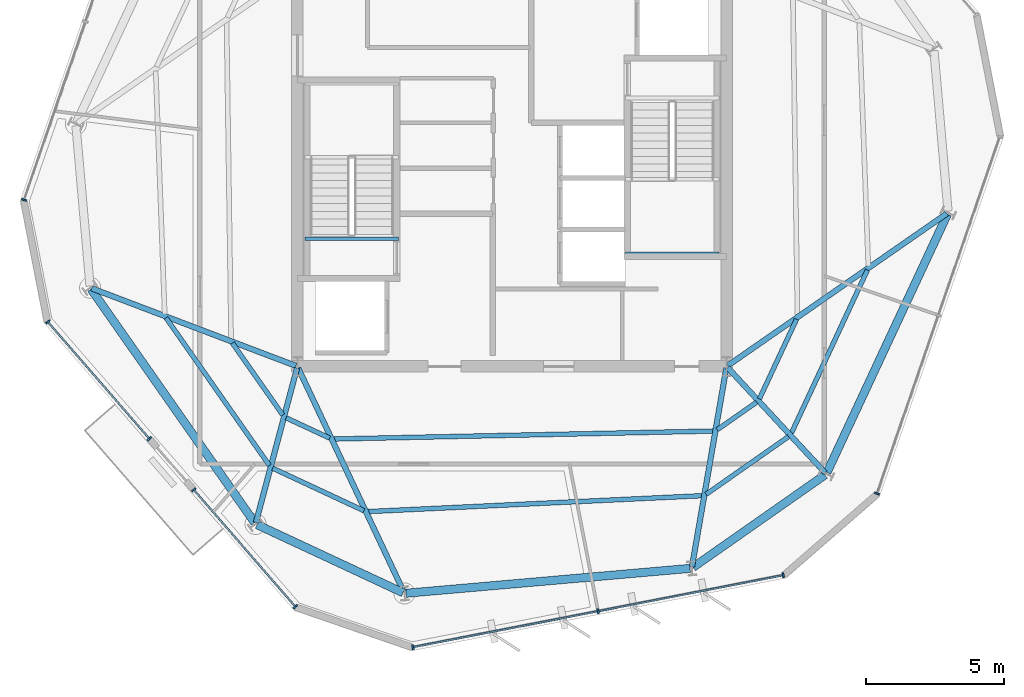
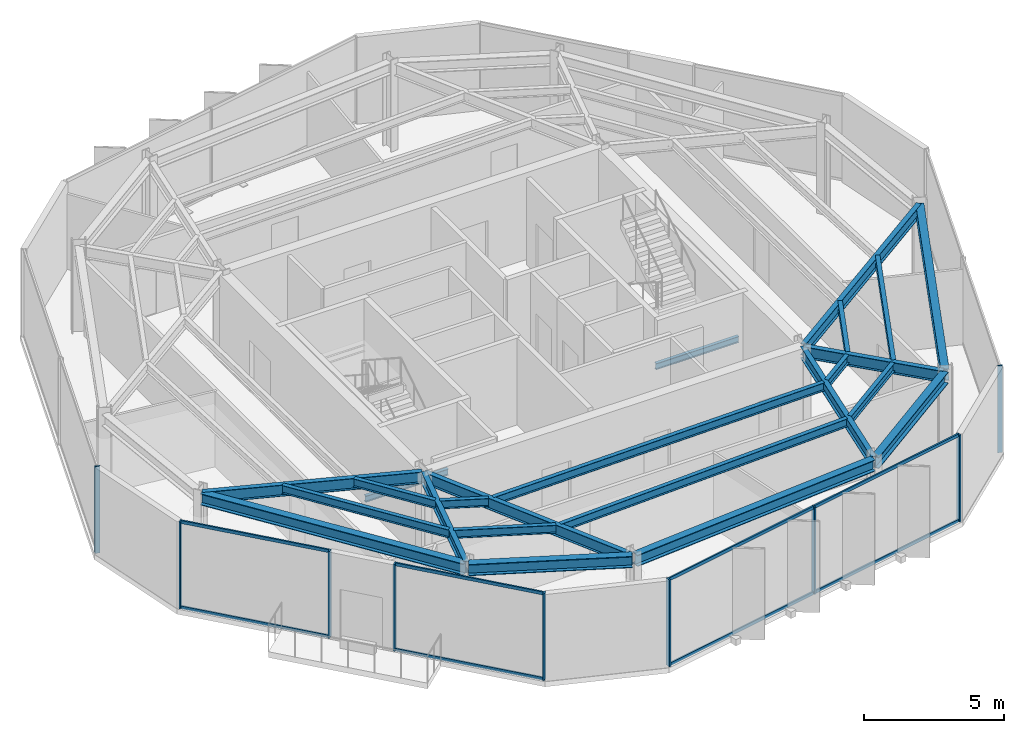
# One storey, part 2 of 10: 23 beams, 17 members, 5 elements without a shape of their own.
"""IFC4 building model written with IfcOpenShell, lengths in metres."""

from ifc_helpers import new_model, si_unit, direction, frame, origin, origin_2d, place, context, subcontext, project, spatial, rectangle, i_section, extrude, material, layer, layer_set, material_profile, profile_set, type_object, element, aggregate, save


model = new_model("IFC4")

# Units and contexts
model_context = context("Model", 3, precision=1e-05, world=origin(), true_north=direction((0.0, 1.0)))
body_context = subcontext(model_context, "Body", "Model", "MODEL_VIEW")
ifc_project = project(units=[si_unit("LENGTHUNIT", "METRE"), si_unit("AREAUNIT", "SQUARE_METRE"), si_unit("VOLUMEUNIT", "CUBIC_METRE"), si_unit("PLANEANGLEUNIT", "RADIAN"), si_unit("MASSUNIT", "GRAM", prefix="KILO")], contexts=[model_context])

# Site, building, storey
site_placement = place(None, origin())
site = spatial("IfcSite", under=ifc_project, at=site_placement, CompositionType="ELEMENT")
building_placement = place(site_placement, origin())
building = spatial("IfcBuilding", under=site, at=building_placement, Name="Kranzbogen Civic Tower", CompositionType="ELEMENT")
storey_placement = place(building_placement, frame((0.0, 0.0, 310.199951171875)))
storey = spatial("IfcBuildingStorey", under=building, at=storey_placement, Name="L75", CompositionType="ELEMENT", Elevation=310.199951171875)

# Curtain wall, member
ifc_material_1 = material(Name="Pale Anodised Aluminium", Category="aluminium")
ifc_layer = layer(ifc_material_1, 0.219970703125, Name="Pale Anodised Aluminium")
ifc_layer_set = layer_set([ifc_layer], Name="Pale Anodised Aluminium")
curtain_wall_type = type_object("IfcCurtainWallType", Name="Zone 4 Stick Curtain Wall System CW-05", PredefinedType="USERDEFINED", material=ifc_layer_set)
curtain_wall_1_placement = place(storey_placement, origin())
curtain_wall_1 = element("IfcCurtainWall", 1, at=curtain_wall_1_placement, inside=storey, type_object=curtain_wall_type, Name="L75 curtain wall CW-L75-F2", ObjectType="STICK CURTAIN WALL", PredefinedType="USERDEFINED")
ifc_material_profile_1 = material_profile(ifc_material_1, rectangle(XDim=0.06494140625, YDim=0.179931640625, at=origin_2d()), Name="ALU-M 65x180")
ifc_profile_set_1 = profile_set([ifc_material_profile_1], Name="Pale Anodised Aluminium")
member_type_1 = type_object("IfcMemberType", Name="Curtain Wall Mullion ALU-M 65x180", PredefinedType="MULLION", material=ifc_profile_set_1)
member_1_placement = place(storey_placement, frame((7.2646484375, 23.853271484375, 0.0), z_axis=(0.0, 0.0, 1.0), x_axis=(-0.325554430043, -0.945523301183, 0.0)))
member_1 = element("IfcMember", 2, at=member_1_placement, type_object=member_type_1, Name="CW-05 mullion 3", PredefinedType="MULLION", context=body_context, shape_type="SweptSolid", body=[
    extrude(rectangle(XDim=0.06494140625, YDim=0.179931640625, at=origin_2d()), origin(), (0.0, 0.0, 1.0), 3.780029296875),
])
aggregate(curtain_wall_1, [member_1])

# Curtain wall, members
curtain_wall_2_placement = place(storey_placement, origin())
curtain_wall_2 = element("IfcCurtainWall", 3, at=curtain_wall_2_placement, inside=storey, type_object=curtain_wall_type, Name="L75 curtain wall CW-L75-F3-S1", ObjectType="STICK CURTAIN WALL", PredefinedType="USERDEFINED")
member_2_placement = place(storey_placement, frame((8.126708984375, 19.41943359375, 0.0), z_axis=(0.0, 0.0, 1.0), x_axis=(0.656074252313, -0.754696346521, 0.0)))
member_2 = element("IfcMember", 4, at=member_2_placement, type_object=member_type_1, Name="CW-05 mullion 1", PredefinedType="MULLION", context=body_context, shape_type="SweptSolid", body=[
    extrude(rectangle(XDim=0.06494140625, YDim=0.179931640625, at=origin_2d()), origin(), (0.0, 0.0, 1.0), 3.780029296875),
])
member_3_placement = place(storey_placement, frame((11.8193359375, 15.171630859375, 0.0), z_axis=(0.0, 0.0, 1.0), x_axis=(0.656074252313, -0.754696346521, 0.0)))
member_3 = element("IfcMember", 5, at=member_3_placement, type_object=member_type_1, Name="CW-05 mullion 2", PredefinedType="MULLION", context=body_context, shape_type="SweptSolid", body=[
    extrude(rectangle(XDim=0.06494140625, YDim=0.179931640625, at=origin_2d()), origin(), (0.0, 0.0, 1.0), 3.780029296875),
])

curtain_wall_3_placement = place(storey_placement, origin())
curtain_wall_3 = element("IfcCurtainWall", 6, at=curtain_wall_3_placement, inside=storey, type_object=curtain_wall_type, Name="L75 curtain wall CW-L75-F3-S2", ObjectType="STICK CURTAIN WALL", PredefinedType="USERDEFINED")
member_4_placement = place(storey_placement, frame((13.4326171875, 13.3154296875, 0.0), z_axis=(0.0, 0.0, 1.0), x_axis=(0.656074252313, -0.754696346521, 0.0)))
member_4 = element("IfcMember", 7, at=member_4_placement, type_object=member_type_1, Name="CW-05 mullion 1", PredefinedType="MULLION", context=body_context, shape_type="SweptSolid", body=[
    extrude(rectangle(XDim=0.06494140625, YDim=0.179931640625, at=origin_2d()), origin(), (0.0, 0.0, 1.0), 3.780029296875),
])
member_5_placement = place(storey_placement, frame((17.125244140625, 9.067626953125, 0.0), z_axis=(0.0, 0.0, 1.0), x_axis=(0.656074252313, -0.754696346521, 0.0)))
member_5 = element("IfcMember", 8, at=member_5_placement, type_object=member_type_1, Name="CW-05 mullion 2", PredefinedType="MULLION", context=body_context, shape_type="SweptSolid", body=[
    extrude(rectangle(XDim=0.06494140625, YDim=0.179931640625, at=origin_2d()), origin(), (0.0, 0.0, 1.0), 3.780029296875),
])

curtain_wall_4_placement = place(storey_placement, origin())
curtain_wall_4 = element("IfcCurtainWall", 9, at=curtain_wall_4_placement, inside=storey, type_object=curtain_wall_type, Name="L75 curtain wall CW-L75-F4", ObjectType="STICK CURTAIN WALL", PredefinedType="USERDEFINED")
member_6_placement = place(storey_placement, frame((21.396484375, 7.5966796875, 0.0), z_axis=(0.0, 0.0, 1.0), x_axis=(0.981635407252, 0.190766682701, 0.0)))
member_6 = element("IfcMember", 10, at=member_6_placement, type_object=member_type_1, Name="CW-05 mullion 1", PredefinedType="MULLION", context=body_context, shape_type="SweptSolid", body=[
    extrude(rectangle(XDim=0.06494140625, YDim=0.179931640625, at=origin_2d()), origin(), (0.0, 0.0, 1.0), 3.780029296875),
])
member_7_placement = place(storey_placement, frame((28.12841796875, 8.905029296875, 0.0), z_axis=(0.0, 0.0, 1.0), x_axis=(0.981635407252, 0.190766682701, 0.0)))
member_7 = element("IfcMember", 11, at=member_7_placement, type_object=member_type_1, Name="CW-05 mullion 2", PredefinedType="MULLION", context=body_context, shape_type="SweptSolid", body=[
    extrude(rectangle(XDim=0.06494140625, YDim=0.179931640625, at=origin_2d()), origin(), (0.0, 0.0, 1.0), 3.780029296875),
])
member_8_placement = place(storey_placement, frame((34.860595703125, 10.21337890625, 0.0), z_axis=(0.0, 0.0, 1.0), x_axis=(0.981635407252, 0.190766682701, 0.0)))
member_8 = element("IfcMember", 12, at=member_8_placement, type_object=member_type_1, Name="CW-05 mullion 3", PredefinedType="MULLION", context=body_context, shape_type="SweptSolid", body=[
    extrude(rectangle(XDim=0.06494140625, YDim=0.179931640625, at=origin_2d()), origin(), (0.0, 0.0, 1.0), 3.780029296875),
])

# Curtain wall, member
curtain_wall_5_placement = place(storey_placement, origin())
curtain_wall_5 = element("IfcCurtainWall", 13, at=curtain_wall_5_placement, inside=storey, type_object=curtain_wall_type, Name="L75 curtain wall CW-L75-F5", ObjectType="STICK CURTAIN WALL", PredefinedType="USERDEFINED")
member_9_placement = place(storey_placement, frame((38.269775390625, 13.17724609375, 0.0), z_axis=(0.0, 0.0, 1.0), x_axis=(0.325554430043, 0.945523301183, 0.0)))
member_9 = element("IfcMember", 14, at=member_9_placement, type_object=member_type_1, Name="CW-05 mullion 1", PredefinedType="MULLION", context=body_context, shape_type="SweptSolid", body=[
    extrude(rectangle(XDim=0.06494140625, YDim=0.179931640625, at=origin_2d()), origin(), (0.0, 0.0, 1.0), 3.780029296875),
])
aggregate(curtain_wall_5, [member_9])

# Member
ifc_material_profile_2 = material_profile(ifc_material_1, rectangle(XDim=0.06494140625, YDim=0.135009765625, at=origin_2d()), Name="ALU-T 65x135")
ifc_profile_set_2 = profile_set([ifc_material_profile_2], Name="Pale Anodised Aluminium")
member_type_2 = type_object("IfcMemberType", Name="Curtain Wall Transom ALU-T 65x135", PredefinedType="USERDEFINED", material=ifc_profile_set_2)
member_10_placement = place(storey_placement, frame((8.146484375, 19.396728515625, 0.030029296875), z_axis=(0.656058214396, -0.754710288338, 0.0), x_axis=(0.754710288338, 0.656058214396, 0.0)))
member_10 = element("IfcMember", 15, at=member_10_placement, type_object=member_type_2, Name="CW-05 transom 1.1", ObjectType="TRANSOM", PredefinedType="USERDEFINED", context=body_context, shape_type="SweptSolid", body=[
    extrude(rectangle(XDim=0.06494140625, YDim=0.135009765625, at=origin_2d()), origin(), (0.0, 0.0, 1.0), 5.568115234375),
])

member_11_placement = place(storey_placement, frame((8.146484375, 19.396728515625, 3.75), z_axis=(0.656058214396, -0.754710288338, 0.0), x_axis=(0.754710288338, 0.656058214396, 0.0)))
member_11 = element("IfcMember", 16, at=member_11_placement, type_object=member_type_2, Name="CW-05 transom 1.2", ObjectType="TRANSOM", PredefinedType="USERDEFINED", context=body_context, shape_type="SweptSolid", body=[
    extrude(rectangle(XDim=0.06494140625, YDim=0.135009765625, at=origin_2d()), origin(), (0.0, 0.0, 1.0), 5.568115234375),
])

aggregate(curtain_wall_2, [member_2, member_3, member_10, member_11])

member_12_placement = place(storey_placement, frame((13.452392578125, 13.292724609375, 0.030029296875), z_axis=(0.656083187096, -0.754688579223, 0.0), x_axis=(0.754688579223, 0.656083187096, 0.0)))
member_12 = element("IfcMember", 17, at=member_12_placement, type_object=member_type_2, Name="CW-05 transom 1.1", ObjectType="TRANSOM", PredefinedType="USERDEFINED", context=body_context, shape_type="SweptSolid", body=[
    extrude(rectangle(XDim=0.06494140625, YDim=0.135009765625, at=origin_2d()), origin(), (0.0, 0.0, 1.0), 5.568359375),
])

member_13_placement = place(storey_placement, frame((13.452392578125, 13.292724609375, 3.75), z_axis=(0.656083187096, -0.754688579223, 0.0), x_axis=(0.754688579223, 0.656083187096, 0.0)))
member_13 = element("IfcMember", 18, at=member_13_placement, type_object=member_type_2, Name="CW-05 transom 1.2", ObjectType="TRANSOM", PredefinedType="USERDEFINED", context=body_context, shape_type="SweptSolid", body=[
    extrude(rectangle(XDim=0.06494140625, YDim=0.135009765625, at=origin_2d()), origin(), (0.0, 0.0, 1.0), 5.568359375),
])

aggregate(curtain_wall_3, [member_4, member_5, member_12, member_13])

member_14_placement = place(storey_placement, frame((21.42578125, 7.6025390625, 0.030029296875), z_axis=(0.981641920978, 0.190733161715, 0.0), x_axis=(-0.190733161715, 0.981641920978, 0.0)))
member_14 = element("IfcMember", 19, at=member_14_placement, type_object=member_type_2, Name="CW-05 transom 1.1", ObjectType="TRANSOM", PredefinedType="USERDEFINED", context=body_context, shape_type="SweptSolid", body=[
    extrude(rectangle(XDim=0.06494140625, YDim=0.135009765625, at=origin_2d()), origin(), (0.0, 0.0, 1.0), 6.798095703125),
])

member_15_placement = place(storey_placement, frame((21.42578125, 7.6025390625, 3.75), z_axis=(0.981641920978, 0.190733161715, 0.0), x_axis=(-0.190733161715, 0.981641920978, 0.0)))
member_15 = element("IfcMember", 20, at=member_15_placement, type_object=member_type_2, Name="CW-05 transom 1.2", ObjectType="TRANSOM", PredefinedType="USERDEFINED", context=body_context, shape_type="SweptSolid", body=[
    extrude(rectangle(XDim=0.06494140625, YDim=0.135009765625, at=origin_2d()), origin(), (0.0, 0.0, 1.0), 6.798095703125),
])

member_16_placement = place(storey_placement, frame((28.157958984375, 8.91064453125, 0.030029296875), z_axis=(0.981633889378, 0.190774493117, 0.0), x_axis=(-0.190774493117, 0.981633889378, 0.0)))
member_16 = element("IfcMember", 21, at=member_16_placement, type_object=member_type_2, Name="CW-05 transom 2.1", ObjectType="TRANSOM", PredefinedType="USERDEFINED", context=body_context, shape_type="SweptSolid", body=[
    extrude(rectangle(XDim=0.06494140625, YDim=0.135009765625, at=origin_2d()), origin(), (0.0, 0.0, 1.0), 6.7978515625),
])

member_17_placement = place(storey_placement, frame((28.157958984375, 8.91064453125, 3.75), z_axis=(0.981633889378, 0.190774493117, 0.0), x_axis=(-0.190774493117, 0.981633889378, 0.0)))
member_17 = element("IfcMember", 22, at=member_17_placement, type_object=member_type_2, Name="CW-05 transom 2.2", ObjectType="TRANSOM", PredefinedType="USERDEFINED", context=body_context, shape_type="SweptSolid", body=[
    extrude(rectangle(XDim=0.06494140625, YDim=0.135009765625, at=origin_2d()), origin(), (0.0, 0.0, 1.0), 6.7978515625),
])

aggregate(curtain_wall_4, [member_6, member_7, member_8, member_14, member_15, member_16, member_17])

# Beams
ifc_material_2 = material(Name="Steel S355", Category="steel")
ifc_material_profile_3 = material_profile(ifc_material_2, i_section(OverallWidth=0.300048828125, OverallDepth=0.5, WebThickness=0.014404296875, FlangeThickness=0.028076171875, at=origin_2d()), Name="HEB 500")
ifc_profile_set_3 = profile_set([ifc_material_profile_3], Name="Steel S355")
beam_type_1 = type_object("IfcBeamType", Name="Perimeter Tube Spandrel Beam HEB 500", PredefinedType="SPANDREL", material=ifc_profile_set_3)
beam_1_placement = place(storey_placement, frame((9.699951171875, 20.612060546875, 3.530029296875), z_axis=(0.573577759301, -0.819151117948, 0.0), x_axis=(0.819151117948, 0.573577759301, 0.0)))
element("IfcBeam", 23, at=beam_1_placement, inside=storey, type_object=beam_type_1, Name="L75 perimeter spandrel beam 01", PredefinedType="SPANDREL", context=body_context, shape_type="SweptSolid", body=[
    extrude(i_section(OverallWidth=0.300048828125, OverallDepth=0.5, WebThickness=0.014404296875, FlangeThickness=0.028076171875, at=origin_2d()), origin(), (0.0, 0.0, 1.0), 10.36328125),
])
beam_2_placement = place(storey_placement, frame((15.73193359375, 12.049072265625, 3.530029296875), z_axis=(0.906289661556, -0.422657129784, 0.0), x_axis=(0.422657129784, 0.906289661556, 0.0)))
element("IfcBeam", 24, at=beam_2_placement, inside=storey, type_object=beam_type_1, Name="L75 perimeter spandrel beam 02", PredefinedType="SPANDREL", context=body_context, shape_type="SweptSolid", body=[
    extrude(i_section(OverallWidth=0.300048828125, OverallDepth=0.5, WebThickness=0.014404296875, FlangeThickness=0.028076171875, at=origin_2d()), origin(), (0.0, 0.0, 1.0), 5.853759765625),
])
beam_3_placement = place(storey_placement, frame((21.15087890625, 9.554931640625, 3.530029296875), z_axis=(0.996186373839, 0.087250837114, 0.0), x_axis=(-0.087250837114, 0.996186373839, 0.0)))
element("IfcBeam", 25, at=beam_3_placement, inside=storey, type_object=beam_type_1, Name="L75 perimeter spandrel beam 03", PredefinedType="SPANDREL", context=body_context, shape_type="SweptSolid", body=[
    extrude(i_section(OverallWidth=0.300048828125, OverallDepth=0.5, WebThickness=0.014404296875, FlangeThickness=0.028076171875, at=origin_2d()), origin(), (0.0, 0.0, 1.0), 10.361572265625),
])
beam_4_placement = place(storey_placement, frame((31.58203125, 10.498046875, 3.530029296875), z_axis=(0.819059436004, 0.57370867197, 0.0), x_axis=(-0.57370867197, 0.819059436004, 0.0)))
element("IfcBeam", 26, at=beam_4_placement, inside=storey, type_object=beam_type_1, Name="L75 perimeter spandrel beam 04", PredefinedType="SPANDREL", context=body_context, shape_type="SweptSolid", body=[
    extrude(i_section(OverallWidth=0.300048828125, OverallDepth=0.5, WebThickness=0.014404296875, FlangeThickness=0.028076171875, at=origin_2d()), origin(), (0.0, 0.0, 1.0), 5.85302734375),
])
beam_5_placement = place(storey_placement, frame((36.449951171875, 13.944091796875, 3.530029296875), z_axis=(0.422668780888, 0.906284227857, 0.0), x_axis=(-0.906284227857, 0.422668780888, 0.0)))
element("IfcBeam", 27, at=beam_5_placement, inside=storey, type_object=beam_type_1, Name="L75 perimeter spandrel beam 05", PredefinedType="SPANDREL", context=body_context, shape_type="SweptSolid", body=[
    extrude(i_section(OverallWidth=0.300048828125, OverallDepth=0.5, WebThickness=0.014404296875, FlangeThickness=0.028076171875, at=origin_2d()), origin(), (0.0, 0.0, 1.0), 10.363037109375),
])
ifc_material_profile_4 = material_profile(ifc_material_2, i_section(OverallWidth=0.199951171875, OverallDepth=0.5, WebThickness=0.01025390625, FlangeThickness=0.01611328125, at=origin_2d()), Name="IPE 500")
ifc_profile_set_4 = profile_set([ifc_material_profile_4], Name="Steel S355")
beam_type_2 = type_object("IfcBeamType", Name="Radial Tower Floor Girder IPE 500", PredefinedType="BEAM", material=ifc_profile_set_4)
beam_6_placement = place(storey_placement, frame((9.721923828125, 20.639892578125, 3.530029296875), z_axis=(0.934848709689, -0.355046320913, 0.0), x_axis=(0.355046320913, 0.934848709689, 0.0)))
element("IfcBeam", 28, at=beam_6_placement, inside=storey, type_object=beam_type_2, Name="L75 radial floor girder 01", PredefinedType="BEAM", context=body_context, shape_type="SweptSolid", body=[
    extrude(i_section(OverallWidth=0.199951171875, OverallDepth=0.5, WebThickness=0.01025390625, FlangeThickness=0.01611328125, at=origin_2d()), origin(), (0.0, 0.0, 1.0), 7.939453125),
])
beam_7_placement = place(storey_placement, frame((15.693115234375, 12.132080078125, 3.530029296875), z_axis=(0.257016017622, 0.966407143333, 0.0), x_axis=(-0.966407143333, 0.257016017622, 0.0)))
element("IfcBeam", 29, at=beam_7_placement, inside=storey, type_object=beam_type_2, Name="L75 radial floor girder 02", PredefinedType="BEAM", context=body_context, shape_type="SweptSolid", body=[
    extrude(i_section(OverallWidth=0.199951171875, OverallDepth=0.5, WebThickness=0.01025390625, FlangeThickness=0.01611328125, at=origin_2d()), origin(), (0.0, 0.0, 1.0), 5.804931640625),
])
beam_8_placement = place(storey_placement, frame((21.06494140625, 9.60400390625, 3.530029296875), z_axis=(-0.426460441273, 0.904506214478, 0.0), x_axis=(-0.904506214478, -0.426460441273, 0.0)))
element("IfcBeam", 30, at=beam_8_placement, inside=storey, type_object=beam_type_2, Name="L75 radial floor girder 03", PredefinedType="BEAM", context=body_context, shape_type="SweptSolid", body=[
    extrude(i_section(OverallWidth=0.199951171875, OverallDepth=0.5, WebThickness=0.01025390625, FlangeThickness=0.01611328125, at=origin_2d()), origin(), (0.0, 0.0, 1.0), 9.001708984375),
])
beam_9_placement = place(storey_placement, frame((31.54296875, 10.52294921875, 3.530029296875), z_axis=(0.170249558486, 0.985400978199, 0.0), x_axis=(-0.985400978199, 0.170249558486, 0.0)))
element("IfcBeam", 31, at=beam_9_placement, inside=storey, type_object=beam_type_2, Name="L75 radial floor girder 04", PredefinedType="BEAM", context=body_context, shape_type="SweptSolid", body=[
    extrude(i_section(OverallWidth=0.199951171875, OverallDepth=0.5, WebThickness=0.01025390625, FlangeThickness=0.01611328125, at=origin_2d()), origin(), (0.0, 0.0, 1.0), 7.324951171875),
])
beam_10_placement = place(storey_placement, frame((36.384033203125, 13.93408203125, 3.530029296875), z_axis=(-0.679827353702, 0.733372190064, 0.0), x_axis=(-0.733372190064, -0.679827353702, 0.0)))
element("IfcBeam", 32, at=beam_10_placement, inside=storey, type_object=beam_type_2, Name="L75 radial floor girder 05", PredefinedType="BEAM", context=body_context, shape_type="SweptSolid", body=[
    extrude(i_section(OverallWidth=0.199951171875, OverallDepth=0.5, WebThickness=0.01025390625, FlangeThickness=0.01611328125, at=origin_2d()), origin(), (0.0, 0.0, 1.0), 5.211669921875),
])
beam_11_placement = place(storey_placement, frame((40.805908203125, 23.35595703125, 3.530029296875), z_axis=(-0.821542812331, -0.570146829779, 0.0), x_axis=(0.570146829779, -0.821542812331, 0.0)))
element("IfcBeam", 33, at=beam_11_placement, inside=storey, type_object=beam_type_2, Name="L75 radial floor girder 06", PredefinedType="BEAM", context=body_context, shape_type="SweptSolid", body=[
    extrude(i_section(OverallWidth=0.199951171875, OverallDepth=0.5, WebThickness=0.01025390625, FlangeThickness=0.01611328125, at=origin_2d()), origin(), (0.0, 0.0, 1.0), 9.68505859375),
])
ifc_material_profile_5 = material_profile(ifc_material_2, i_section(OverallWidth=0.169921875, OverallDepth=0.360107421875, WebThickness=0.008056640625, FlangeThickness=0.0126953125, at=origin_2d()), Name="IPE 360")
ifc_profile_set_5 = profile_set([ifc_material_profile_5], Name="Steel S355")
beam_type_3 = type_object("IfcBeamType", Name="Secondary Composite Floor Joist IPE 360", PredefinedType="JOIST", material=ifc_profile_set_5)
beam_12_placement = place(storey_placement, frame((12.424072265625, 19.56591796875, 3.60009765625), z_axis=(0.573499872939, -0.819205649235, 0.0), x_axis=(0.819205649235, 0.573499872939, 0.0)))
element("IfcBeam", 34, at=beam_12_placement, inside=storey, type_object=beam_type_3, Name="L75 secondary floor joist 1.01", PredefinedType="JOIST", context=body_context, shape_type="SweptSolid", body=[
    extrude(i_section(OverallWidth=0.169921875, OverallDepth=0.360107421875, WebThickness=0.008056640625, FlangeThickness=0.0126953125, at=origin_2d()), origin(), (0.0, 0.0, 1.0), 6.549072265625),
])
beam_13_placement = place(storey_placement, frame((14.8349609375, 18.64990234375, 3.60009765625), z_axis=(0.573498248491, -0.819206786457, 0.0), x_axis=(0.819206786457, 0.573498248491, 0.0)))
element("IfcBeam", 35, at=beam_13_placement, inside=storey, type_object=beam_type_3, Name="L75 secondary floor joist 2.01", PredefinedType="JOIST", context=body_context, shape_type="SweptSolid", body=[
    extrude(i_section(OverallWidth=0.169921875, OverallDepth=0.360107421875, WebThickness=0.008056640625, FlangeThickness=0.0126953125, at=origin_2d()), origin(), (0.0, 0.0, 1.0), 3.194580078125),
])
beam_14_placement = place(storey_placement, frame((16.298095703125, 14.10205078125, 3.60009765625), z_axis=(0.906303996948, -0.422626389517, 0.0), x_axis=(0.422626389517, 0.906303996948, 0.0)))
element("IfcBeam", 36, at=beam_14_placement, inside=storey, type_object=beam_type_3, Name="L75 secondary floor joist 1.02", PredefinedType="JOIST", context=body_context, shape_type="SweptSolid", body=[
    extrude(i_section(OverallWidth=0.169921875, OverallDepth=0.360107421875, WebThickness=0.008056640625, FlangeThickness=0.0126953125, at=origin_2d()), origin(), (0.0, 0.0, 1.0), 3.6630859375),
])
beam_15_placement = place(storey_placement, frame((16.784912109375, 15.93408203125, 3.60009765625), z_axis=(0.906432174342, -0.422351409751, 0.0), x_axis=(0.422351409751, 0.906432174342, 0.0)))
element("IfcBeam", 37, at=beam_15_placement, inside=storey, type_object=beam_type_3, Name="L75 secondary floor joist 2.02", PredefinedType="JOIST", context=body_context, shape_type="SweptSolid", body=[
    extrude(i_section(OverallWidth=0.169921875, OverallDepth=0.360107421875, WebThickness=0.008056640625, FlangeThickness=0.0126953125, at=origin_2d()), origin(), (0.0, 0.0, 1.0), 1.751953125),
])
beam_16_placement = place(storey_placement, frame((19.77001953125, 12.52392578125, 3.60009765625), z_axis=(0.998871634781, 0.047491654324, 0.0), x_axis=(-0.047491654324, 0.998871634781, 0.0)))
element("IfcBeam", 38, at=beam_16_placement, inside=storey, type_object=beam_type_3, Name="L75 secondary floor joist 1.03", PredefinedType="JOIST", context=body_context, shape_type="SweptSolid", body=[
    extrude(i_section(OverallWidth=0.169921875, OverallDepth=0.360107421875, WebThickness=0.008056640625, FlangeThickness=0.0126953125, at=origin_2d()), origin(), (0.0, 0.0, 1.0), 12.152587890625),
])
beam_17_placement = place(storey_placement, frame((18.52490234375, 15.162109375, 3.60009765625), z_axis=(0.999780746893, 0.020939392104, 0.0), x_axis=(-0.020939392104, 0.999780746893, 0.0)))
element("IfcBeam", 39, at=beam_17_placement, inside=storey, type_object=beam_type_3, Name="L75 secondary floor joist 2.03", PredefinedType="JOIST", context=body_context, shape_type="SweptSolid", body=[
    extrude(i_section(OverallWidth=0.169921875, OverallDepth=0.360107421875, WebThickness=0.008056640625, FlangeThickness=0.0126953125, at=origin_2d()), origin(), (0.0, 0.0, 1.0), 13.79296875),
])
beam_18_placement = place(storey_placement, frame((32.054931640625, 13.15087890625, 3.60009765625), z_axis=(0.819006333711, 0.573784476385, 0.0), x_axis=(-0.573784476385, 0.819006333711, 0.0)))
element("IfcBeam", 40, at=beam_18_placement, inside=storey, type_object=beam_type_3, Name="L75 secondary floor joist 1.04", PredefinedType="JOIST", context=body_context, shape_type="SweptSolid", body=[
    extrude(i_section(OverallWidth=0.169921875, OverallDepth=0.360107421875, WebThickness=0.008056640625, FlangeThickness=0.0126953125, at=origin_2d()), origin(), (0.0, 0.0, 1.0), 3.661865234375),
])
beam_19_placement = place(storey_placement, frame((32.4599609375, 15.498046875, 3.60009765625), z_axis=(0.818956727849, 0.573855276103, 0.0), x_axis=(-0.573855276103, 0.818956727849, 0.0)))
element("IfcBeam", 41, at=beam_19_placement, inside=storey, type_object=beam_type_3, Name="L75 secondary floor joist 2.04", PredefinedType="JOIST", context=body_context, shape_type="SweptSolid", body=[
    extrude(i_section(OverallWidth=0.169921875, OverallDepth=0.360107421875, WebThickness=0.008056640625, FlangeThickness=0.0126953125, at=origin_2d()), origin(), (0.0, 0.0, 1.0), 1.751220703125),
])
beam_20_placement = place(storey_placement, frame((35.154052734375, 15.3701171875, 3.60009765625), z_axis=(0.422542528713, 0.906343098075, 0.0), x_axis=(-0.906343098075, 0.422542528713, 0.0)))
element("IfcBeam", 42, at=beam_20_placement, inside=storey, type_object=beam_type_3, Name="L75 secondary floor joist 1.05", PredefinedType="JOIST", context=body_context, shape_type="SweptSolid", body=[
    extrude(i_section(OverallWidth=0.169921875, OverallDepth=0.360107421875, WebThickness=0.008056640625, FlangeThickness=0.0126953125, at=origin_2d()), origin(), (0.0, 0.0, 1.0), 6.548095703125),
])
beam_21_placement = place(storey_placement, frame((33.993896484375, 16.62109375, 3.60009765625), z_axis=(0.422651143991, 0.906292453065, 0.0), x_axis=(-0.906292453065, 0.422651143991, 0.0)))
element("IfcBeam", 43, at=beam_21_placement, inside=storey, type_object=beam_type_3, Name="L75 secondary floor joist 2.05", PredefinedType="JOIST", context=body_context, shape_type="SweptSolid", body=[
    extrude(i_section(OverallWidth=0.169921875, OverallDepth=0.360107421875, WebThickness=0.008056640625, FlangeThickness=0.0126953125, at=origin_2d()), origin(), (0.0, 0.0, 1.0), 3.1943359375),
])
ifc_material_profile_6 = material_profile(ifc_material_2, i_section(OverallWidth=0.135009765625, OverallDepth=0.27001953125, WebThickness=0.006591796875, FlangeThickness=0.01025390625, at=origin_2d()), Name="IPE 270")
ifc_profile_set_6 = profile_set([ifc_material_profile_6], Name="Steel S355")
beam_type_4 = type_object("IfcBeamType", Name="Stair Landing Support Beam IPE 270", PredefinedType="JOIST", material=ifc_profile_set_6)
for number, where, z_axis, x_axis, name in (
    (44, (20.8798828125, 22.43994140625, -0.35498046875), (-1.0, 0.0, 0.0), (0.0, -1.0, 0.0), "L75 ST-T1 stair floor header beam"),
    (45, (29.1201171875, 21.89990234375, 1.6650390625), (1.0, 0.0, 0.0), (0.0, 1.0, 0.0), "L75 ST-T2 landing support beam 1.2"),
):
    element("IfcBeam", number, at=place(storey_placement, frame(where, z_axis=z_axis, x_axis=x_axis)), inside=storey, type_object=beam_type_4, Name=name, PredefinedType="JOIST", context=body_context, shape_type="SweptSolid", body=[
        extrude(i_section(OverallWidth=0.135009765625, OverallDepth=0.27001953125, WebThickness=0.006591796875, FlangeThickness=0.01025390625, at=origin_2d()), origin(), (0.0, 0.0, 1.0), 3.409912109375),
    ])

save(model, "model.ifc")
